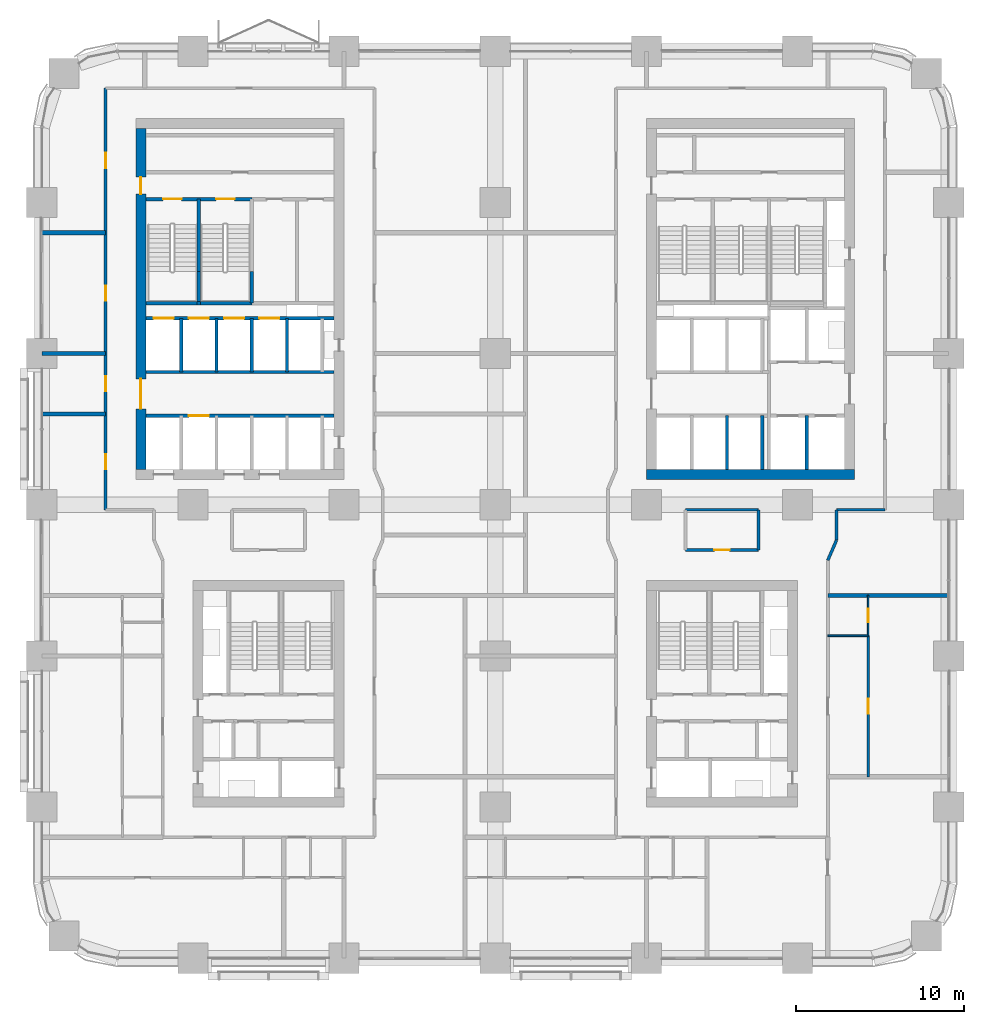
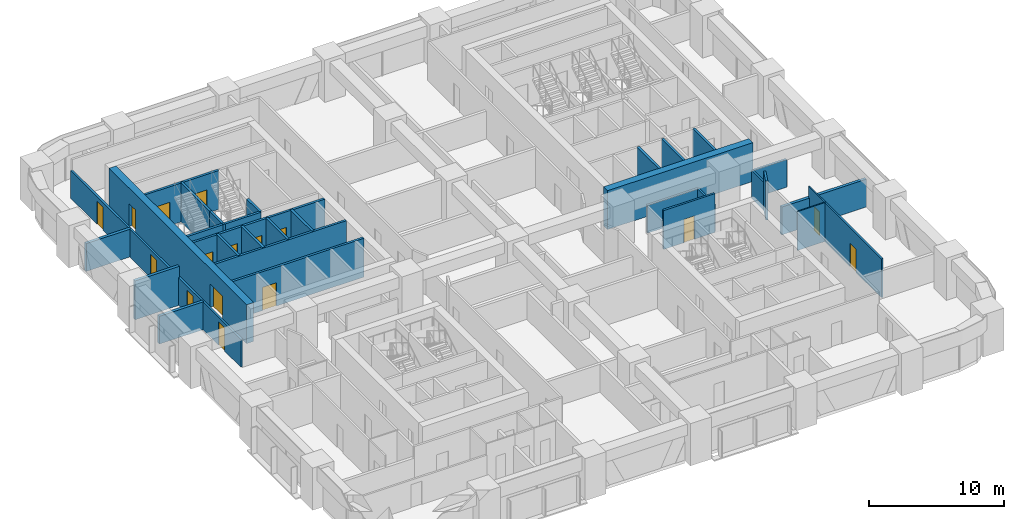
# One storey, part 17 of 23: 33 walls, 16 doors, 16 openings.
"""IFC4 building model written with IfcOpenShell, lengths in metres."""

from ifc_helpers import new_model, si_unit, direction, frame, frame_2d, origin, place, context, subcontext, project, spatial, rectangle, extrude, material, layer, layer_set, type_object, element, fill, save


model = new_model("IFC4")

# Units and contexts
model_context = context("Model", 3, precision=1e-05, world=origin(), true_north=direction((0.0, 1.0)))
body_context = subcontext(model_context, "Body", "Model", "MODEL_VIEW")
ifc_project = project(units=[si_unit("LENGTHUNIT", "METRE"), si_unit("AREAUNIT", "SQUARE_METRE"), si_unit("VOLUMEUNIT", "CUBIC_METRE"), si_unit("PLANEANGLEUNIT", "RADIAN"), si_unit("MASSUNIT", "GRAM", prefix="KILO")], contexts=[model_context])

# Site, building, storey
site_placement = place(None, origin())
site = spatial("IfcSite", under=ifc_project, at=site_placement, CompositionType="ELEMENT")
building_placement = place(site_placement, origin())
building = spatial("IfcBuilding", under=site, at=building_placement, Name="Tessera Arch", CompositionType="ELEMENT")
storey_placement = place(building_placement, frame((0.0, 0.0, 57.60009765625)))
storey = spatial("IfcBuildingStorey", under=building, at=storey_placement, Name="L12", CompositionType="ELEMENT", Elevation=57.60009765625)

# Wall
ifc_material_1 = material(Name="Concrete C70/85", Category="concrete")
ifc_layer_1 = layer(ifc_material_1, 0.60009765625)
ifc_layer_set_1 = layer_set([ifc_layer_1], Name="Core shell wall 600 C70-85")
wall_type_1 = type_object("IfcWallType", Name="Core shell wall 600 C70-85", PredefinedType="SHEAR", material=ifc_layer_set_1)
wall_1_placement = place(storey_placement, frame((36.0, 28.800048828125, 0.0), z_axis=(0.0, 0.0, 1.0), x_axis=(1.0, 0.0, 0.0)))
element("IfcWall", 1, at=wall_1_placement, inside=storey, type_object=wall_type_1, Name="L12 C1 core wall S", PredefinedType="SHEAR", context=body_context, shape_type="SweptSolid", body=[
    extrude(rectangle(XDim=12.39990234375, YDim=0.60009765625, at=frame_2d((6.199951171875, 0.0))), origin(), (0.0, 0.0, 1.0), 3.5),
])

# Wall, openings, doors
wall_2_placement = place(storey_placement, frame((5.89990234375, 29.10009765625, 0.0), z_axis=(0.0, 0.0, 1.0), x_axis=(0.0, 1.0, 0.0)))
wall_2 = element("IfcWall", 2, at=wall_2_placement, inside=storey, type_object=wall_type_1, Name="L12 C2 core wall W", PredefinedType="SHEAR", context=body_context, shape_type="SweptSolid", body=[
    extrude(rectangle(XDim=20.2998046875, YDim=0.60009765625, at=frame_2d((10.14990234375, 0.0))), origin(), (0.0, 0.0, 1.0), 3.5),
])
opening_1_placement = place(wall_2_placement, frame((3.60009765625, 0.0, 0.0)))
opening_1 = element("IfcOpeningElement", 3, at=opening_1_placement, cuts=wall_2, Name="Opening L12-C24", PredefinedType="OPENING", context=body_context, shape_type="SweptSolid", body=[
    extrude(rectangle(XDim=1.800048828125, YDim=2.10009765625, at=frame_2d((0.89990234375, 1.050048828125))), frame((0.0, 0.31005859375, 0.0), z_axis=(0.0, -1.0, 0.0), x_axis=(1.0, 0.0, 0.0)), (0.0, 0.0, 1.0), 0.6201171875),
])
opening_2_placement = place(wall_2_placement, frame((16.39990234375, 0.0, 0.0)))
opening_2 = element("IfcOpeningElement", 4, at=opening_2_placement, cuts=wall_2, Name="Opening L12-C27", PredefinedType="OPENING", context=body_context, shape_type="SweptSolid", body=[
    extrude(rectangle(XDim=1.0, YDim=2.10009765625, at=frame_2d((0.5, 1.050048828125))), frame((0.0, 0.31005859375, 0.0), z_axis=(0.0, -1.0, 0.0), x_axis=(1.0, 0.0, 0.0)), (0.0, 0.0, 1.0), 0.6201171875),
])
ifc_material_2 = material(Name="Steel door leaf", Category="steel")
door_type_1 = type_object("IfcDoorType", Name="Corridor door FD60 1000 x 2100", OperationType="SINGLE_SWING_LEFT", PredefinedType="DOOR", material=ifc_material_2)
door_1_placement = place(opening_2_placement, origin())
door_1 = element("IfcDoor", 5, at=door_1_placement, inside=storey, type_object=door_type_1, Name="L12 C2 door 14 C27 type D12", OperationType="SINGLE_SWING_RIGHT", OverallHeight=2.10009765625, OverallWidth=1.0, PredefinedType="DOOR", context=body_context, shape_type="SweptSolid", body=[
    extrude(rectangle(XDim=1.0, YDim=2.10009765625, at=frame_2d((0.5, 1.050048828125))), frame((0.0, 0.02490234375, 0.0), z_axis=(0.0, -1.0, 0.0), x_axis=(1.0, 0.0, 0.0)), (0.0, 0.0, 1.0), 0.050048828125),
])
fill(opening_2, door_1)
ifc_material_3 = material(Name="Glazed steel door leaf", Category="steel")
door_type_2 = type_object("IfcDoorType", Name="Lobby double door FD30S 1800 x 2100", OperationType="DOUBLE_DOOR_SINGLE_SWING", PredefinedType="DOOR", material=ifc_material_3)
door_2_placement = place(opening_1_placement, origin())
door_2 = element("IfcDoor", 6, at=door_2_placement, inside=storey, type_object=door_type_2, Name="L12 C2 door 11 C24 type D06", OperationType="DOUBLE_DOOR_SINGLE_SWING", OverallHeight=2.10009765625, OverallWidth=1.800048828125, PredefinedType="DOOR", context=body_context, shape_type="SweptSolid", body=[
    extrude(rectangle(XDim=1.800048828125, YDim=2.10009765625, at=frame_2d((0.89990234375, 1.050048828125))), frame((0.0, 0.02490234375, 0.0), z_axis=(0.0, -1.0, 0.0), x_axis=(1.0, 0.0, 0.0)), (0.0, 0.0, 1.0), 0.050048828125),
])
fill(opening_1, door_2)

# Wall, opening, door
ifc_material_4 = material(Name="Gypsum board on deep steel stud with mineral wool", Category="steel")
ifc_layer_2 = layer(ifc_material_4, 0.175048828125)
ifc_layer_set_2 = layer_set([ifc_layer_2], Name="Corridor wall 175 EI 60")
wall_type_2 = type_object("IfcWallType", Name="Corridor wall 175 EI 60", PredefinedType="PARTITIONING", material=ifc_layer_set_2)
wall_3_placement = place(storey_placement, frame((38.320068359375, 24.300048828125, 0.0), z_axis=(0.0, 0.0, 1.0), x_axis=(1.0, 0.0, 0.0)))
wall_3 = element("IfcWall", 7, at=wall_3_placement, inside=storey, type_object=wall_type_2, Name="L12 partition 4", PredefinedType="PARTITIONING", context=body_context, shape_type="SweptSolid", body=[
    extrude(rectangle(XDim=4.35986328125, YDim=0.175048828125, at=frame_2d((2.179931640625, 0.0))), origin(), (0.0, 0.0, 1.0), 3.5),
])
opening_3_placement = place(wall_3_placement, frame((1.72998046875, 0.0, 0.0)))
opening_3 = element("IfcOpeningElement", 8, at=opening_3_placement, cuts=wall_3, Name="Opening L12-D030", PredefinedType="OPENING", context=body_context, shape_type="SweptSolid", body=[
    extrude(rectangle(XDim=0.89990234375, YDim=2.10009765625, at=frame_2d((0.449951171875, 1.050048828125))), frame((0.0, 0.097412109375, 0.0), z_axis=(0.0, -1.0, 0.0), x_axis=(1.0, 0.0, 0.0)), (0.0, 0.0, 1.0), 0.195068359375),
])
ifc_material_5 = material(Name="Timber door leaf", Category="wood")
door_type_3 = type_object("IfcDoorType", Name="Room door 900 x 2100", OperationType="SINGLE_SWING_LEFT", PredefinedType="DOOR", material=ifc_material_5)
door_3_placement = place(opening_3_placement, origin())
door_3 = element("IfcDoor", 9, at=door_3_placement, inside=storey, type_object=door_type_3, Name="L12 door D030 type D01", OperationType="SINGLE_SWING_LEFT", OverallHeight=2.10009765625, OverallWidth=0.89990234375, PredefinedType="DOOR", context=body_context, shape_type="SweptSolid", body=[
    extrude(rectangle(XDim=0.89990234375, YDim=2.10009765625, at=frame_2d((0.449951171875, 1.050048828125))), frame((0.0, 0.02490234375, 0.0), z_axis=(0.0, -1.0, 0.0), x_axis=(1.0, 0.0, 0.0)), (0.0, 0.0, 1.0), 0.050048828125),
])
fill(opening_3, door_3)

# Walls
wall_4_placement = place(storey_placement, frame((38.320068359375, 26.699951171875, 0.0), z_axis=(0.0, 0.0, 1.0), x_axis=(1.0, 0.0, 0.0)))
element("IfcWall", 10, at=wall_4_placement, inside=storey, type_object=wall_type_2, Name="L12 partition 7", PredefinedType="PARTITIONING", context=body_context, shape_type="SweptSolid", body=[
    extrude(rectangle(XDim=4.35986328125, YDim=0.175048828125, at=frame_2d((2.179931640625, 0.0))), origin(), (0.0, 0.0, 1.0), 2.5),
])
wall_5_placement = place(storey_placement, frame((47.320068359375, 26.699951171875, 0.0), z_axis=(0.0, 0.0, 1.0), x_axis=(1.0, 0.0, 0.0)))
element("IfcWall", 11, at=wall_5_placement, inside=storey, type_object=wall_type_2, Name="L12 partition 8", PredefinedType="PARTITIONING", context=body_context, shape_type="SweptSolid", body=[
    extrude(rectangle(XDim=2.8798828125, YDim=0.175048828125, at=frame_2d((1.43994140625, 0.0))), origin(), (0.0, 0.0, 1.0), 2.5),
])

# Wall, openings, doors
wall_6_placement = place(storey_placement, frame((3.800048828125, 26.699951171875, 0.0), z_axis=(0.0, 0.0, 1.0), x_axis=(0.0, 1.0, 0.0)))
wall_6 = element("IfcWall", 12, at=wall_6_placement, inside=storey, type_object=wall_type_2, Name="L12 partition 11", PredefinedType="PARTITIONING", context=body_context, shape_type="SweptSolid", body=[
    extrude(rectangle(XDim=25.10009765625, YDim=0.175048828125, at=frame_2d((12.550048828125, 0.0))), origin(), (0.0, 0.0, 1.0), 2.5),
])
opening_4_placement = place(wall_6_placement, frame((2.39990234375, 0.0, 0.0)))
opening_4 = element("IfcOpeningElement", 13, at=opening_4_placement, cuts=wall_6, Name="Opening L12-D031", PredefinedType="OPENING", context=body_context, shape_type="SweptSolid", body=[
    extrude(rectangle(XDim=0.89990234375, YDim=2.10009765625, at=frame_2d((0.449951171875, 1.050048828125))), frame((0.0, 0.097412109375, 0.0), z_axis=(0.0, -1.0, 0.0), x_axis=(1.0, 0.0, 0.0)), (0.0, 0.0, 1.0), 0.195068359375),
])
opening_5_placement = place(wall_6_placement, frame((7.050048828125, 0.0, 0.0)))
opening_5 = element("IfcOpeningElement", 14, at=opening_5_placement, cuts=wall_6, Name="Opening L12-D035", PredefinedType="OPENING", context=body_context, shape_type="SweptSolid", body=[
    extrude(rectangle(XDim=0.89990234375, YDim=2.10009765625, at=frame_2d((0.449951171875, 1.050048828125))), frame((0.0, 0.097412109375, 0.0), z_axis=(0.0, -1.0, 0.0), x_axis=(1.0, 0.0, 0.0)), (0.0, 0.0, 1.0), 0.195068359375),
])
opening_6_placement = place(wall_6_placement, frame((12.449951171875, 0.0, 0.0)))
opening_6 = element("IfcOpeningElement", 15, at=opening_6_placement, cuts=wall_6, Name="Opening L12-D037", PredefinedType="OPENING", context=body_context, shape_type="SweptSolid", body=[
    extrude(rectangle(XDim=0.89990234375, YDim=2.10009765625, at=frame_2d((0.449951171875, 1.050048828125))), frame((0.0, 0.097412109375, 0.0), z_axis=(0.0, -1.0, 0.0), x_axis=(1.0, 0.0, 0.0)), (0.0, 0.0, 1.0), 0.195068359375),
])
opening_7_placement = place(wall_6_placement, frame((20.35009765625, 0.0, 0.0)))
opening_7 = element("IfcOpeningElement", 16, at=opening_7_placement, cuts=wall_6, Name="Opening L12-D041", PredefinedType="OPENING", context=body_context, shape_type="SweptSolid", body=[
    extrude(rectangle(XDim=0.89990234375, YDim=2.10009765625, at=frame_2d((0.449951171875, 1.050048828125))), frame((0.0, 0.097412109375, 0.0), z_axis=(0.0, -1.0, 0.0), x_axis=(1.0, 0.0, 0.0)), (0.0, 0.0, 1.0), 0.195068359375),
])
door_4_placement = place(opening_4_placement, origin())
door_4 = element("IfcDoor", 17, at=door_4_placement, inside=storey, type_object=door_type_3, Name="L12 door D031 type D01", OperationType="SINGLE_SWING_RIGHT", OverallHeight=2.10009765625, OverallWidth=0.89990234375, PredefinedType="DOOR", context=body_context, shape_type="SweptSolid", body=[
    extrude(rectangle(XDim=0.89990234375, YDim=2.10009765625, at=frame_2d((0.449951171875, 1.050048828125))), frame((0.0, 0.02490234375, 0.0), z_axis=(0.0, -1.0, 0.0), x_axis=(1.0, 0.0, 0.0)), (0.0, 0.0, 1.0), 0.050048828125),
])
fill(opening_4, door_4)
door_5_placement = place(opening_5_placement, origin())
door_5 = element("IfcDoor", 18, at=door_5_placement, inside=storey, type_object=door_type_3, Name="L12 door D035 type D01", OperationType="SINGLE_SWING_RIGHT", OverallHeight=2.10009765625, OverallWidth=0.89990234375, PredefinedType="DOOR", context=body_context, shape_type="SweptSolid", body=[
    extrude(rectangle(XDim=0.89990234375, YDim=2.10009765625, at=frame_2d((0.449951171875, 1.050048828125))), frame((0.0, 0.02490234375, 0.0), z_axis=(0.0, -1.0, 0.0), x_axis=(1.0, 0.0, 0.0)), (0.0, 0.0, 1.0), 0.050048828125),
])
fill(opening_5, door_5)
door_6_placement = place(opening_6_placement, origin())
door_6 = element("IfcDoor", 19, at=door_6_placement, inside=storey, type_object=door_type_3, Name="L12 door D037 type D01", OperationType="SINGLE_SWING_RIGHT", OverallHeight=2.10009765625, OverallWidth=0.89990234375, PredefinedType="DOOR", context=body_context, shape_type="SweptSolid", body=[
    extrude(rectangle(XDim=0.89990234375, YDim=2.10009765625, at=frame_2d((0.449951171875, 1.050048828125))), frame((0.0, 0.02490234375, 0.0), z_axis=(0.0, -1.0, 0.0), x_axis=(1.0, 0.0, 0.0)), (0.0, 0.0, 1.0), 0.050048828125),
])
fill(opening_6, door_6)
door_7_placement = place(opening_7_placement, origin())
door_7 = element("IfcDoor", 20, at=door_7_placement, inside=storey, type_object=door_type_3, Name="L12 door D041 type D01", OperationType="SINGLE_SWING_RIGHT", OverallHeight=2.10009765625, OverallWidth=0.89990234375, PredefinedType="DOOR", context=body_context, shape_type="SweptSolid", body=[
    extrude(rectangle(XDim=0.89990234375, YDim=2.10009765625, at=frame_2d((0.449951171875, 1.050048828125))), frame((0.0, 0.02490234375, 0.0), z_axis=(0.0, -1.0, 0.0), x_axis=(1.0, 0.0, 0.0)), (0.0, 0.0, 1.0), 0.050048828125),
])
fill(opening_7, door_7)

# Walls
wall_7_placement = place(storey_placement, frame((42.679931640625, 24.300048828125, 0.0), z_axis=(0.0, 0.0, 1.0), x_axis=(0.0, 1.0, 0.0)))
element("IfcWall", 21, at=wall_7_placement, inside=storey, type_object=wall_type_2, Name="L12 partition 23", PredefinedType="PARTITIONING", context=body_context, shape_type="SweptSolid", body=[
    extrude(rectangle(XDim=2.39990234375, YDim=0.175048828125, at=frame_2d((1.199951171875, 0.0))), origin(), (0.0, 0.0, 1.0), 2.5),
])
wall_8_placement = place(storey_placement, frame((47.320068359375, 24.889892578125, 0.0), z_axis=(0.0, 0.0, 1.0), x_axis=(0.0, 1.0, 0.0)))
element("IfcWall", 22, at=wall_8_placement, inside=storey, type_object=wall_type_2, Name="L12 partition 25", PredefinedType="PARTITIONING", context=body_context, shape_type="SweptSolid", body=[
    extrude(rectangle(XDim=1.81005859375, YDim=0.175048828125, at=frame_2d((0.905029296875, 0.0))), origin(), (0.0, 0.0, 1.0), 2.5),
])
wall_9_placement = place(storey_placement, frame((47.320068359375, 24.889892578125, 0.0), z_axis=(0.0, 0.0, 1.0), x_axis=(-0.397633632391, -0.917544273804, 0.0)))
element("IfcWall", 23, at=wall_9_placement, inside=storey, type_object=wall_type_2, Name="L12 partition 76", PredefinedType="PARTITIONING", context=body_context, shape_type="SweptSolid", body=[
    extrude(rectangle(XDim=1.307861328125, YDim=0.175048828125, at=frame_2d((0.65380859375, 0.0))), origin(), (0.0, 0.0, 1.0), 3.5),
])

# Wall, opening, door
ifc_material_6 = material(Name="Gypsum board on steel stud", Category="steel")
ifc_layer_3 = layer(ifc_material_6, 0.14990234375)
ifc_layer_set_3 = layer_set([ifc_layer_3], Name="Partition 150")
wall_type_3 = type_object("IfcWallType", Name="Partition 150", PredefinedType="PARTITIONING", material=ifc_layer_set_3)
wall_10_placement = place(storey_placement, frame((49.199951171875, 10.800048828125, 0.0), z_axis=(0.0, 0.0, 1.0), x_axis=(0.0, 1.0, 0.0)))
wall_10 = element("IfcWall", 24, at=wall_10_placement, inside=storey, type_object=wall_type_3, Name="L12 partition 32", PredefinedType="PARTITIONING", context=body_context, shape_type="SweptSolid", body=[
    extrude(rectangle(XDim=8.39990234375, YDim=0.14990234375, at=frame_2d((4.199951171875, 0.0))), origin(), (0.0, 0.0, 1.0), 3.5),
])
opening_8_placement = place(wall_10_placement, frame((3.75, 0.0, 0.0)))
opening_8 = element("IfcOpeningElement", 25, at=opening_8_placement, cuts=wall_10, Name="Opening L12-D022", PredefinedType="OPENING", context=body_context, shape_type="SweptSolid", body=[
    extrude(rectangle(XDim=0.89990234375, YDim=2.10009765625, at=frame_2d((0.449951171875, 1.050048828125))), frame((0.0, 0.0849609375, 0.0), z_axis=(0.0, -1.0, 0.0), x_axis=(1.0, 0.0, 0.0)), (0.0, 0.0, 1.0), 0.169921875),
])
door_8_placement = place(opening_8_placement, origin())
door_8 = element("IfcDoor", 26, at=door_8_placement, inside=storey, type_object=door_type_3, Name="L12 door D022 type D01", OperationType="SINGLE_SWING_RIGHT", OverallHeight=2.10009765625, OverallWidth=0.89990234375, PredefinedType="DOOR", context=body_context, shape_type="SweptSolid", body=[
    extrude(rectangle(XDim=0.89990234375, YDim=2.10009765625, at=frame_2d((0.449951171875, 1.050048828125))), frame((0.0, 0.02490234375, 0.0), z_axis=(0.0, -1.0, 0.0), x_axis=(1.0, 0.0, 0.0)), (0.0, 0.0, 1.0), 0.050048828125),
])
fill(opening_8, door_8)

# Walls
ifc_material_7 = material(Name="Double gypsum board on twin steel stud with acoustic mineral wool", Category="steel")
ifc_layer_4 = layer(ifc_material_7, 0.25)
ifc_layer_set_4 = layer_set([ifc_layer_4], Name="Party wall 250 EI 60")
wall_type_4 = type_object("IfcWallType", Name="Party wall 250 EI 60", PredefinedType="PARTITIONING", material=ifc_layer_set_4)
wall_11_placement = place(storey_placement, frame((46.800048828125, 21.60009765625, 0.0), z_axis=(0.0, 0.0, 1.0), x_axis=(1.0, 0.0, 0.0)))
element("IfcWall", 27, at=wall_11_placement, inside=storey, type_object=wall_type_4, Name="L12 partition 41", PredefinedType="PARTITIONING", context=body_context, shape_type="SweptSolid", body=[
    extrude(rectangle(XDim=7.199951171875, YDim=0.25, at=frame_2d((3.60009765625, 0.0))), origin(), (0.0, 0.0, 1.0), 2.5),
])
wall_12_placement = place(storey_placement, frame((0.0, 32.39990234375, 0.0), z_axis=(0.0, 0.0, 1.0), x_axis=(1.0, 0.0, 0.0)))
element("IfcWall", 28, at=wall_12_placement, inside=storey, type_object=wall_type_4, Name="L12 partition 43", PredefinedType="PARTITIONING", context=body_context, shape_type="SweptSolid", body=[
    extrude(rectangle(XDim=3.800048828125, YDim=0.25, at=frame_2d((1.89990234375, 0.0))), origin(), (0.0, 0.0, 1.0), 2.5),
])
wall_13_placement = place(storey_placement, frame((0.0, 36.0, 0.0), z_axis=(0.0, 0.0, 1.0), x_axis=(1.0, 0.0, 0.0)))
element("IfcWall", 29, at=wall_13_placement, inside=storey, type_object=wall_type_4, Name="L12 partition 45", PredefinedType="PARTITIONING", context=body_context, shape_type="SweptSolid", body=[
    extrude(rectangle(XDim=3.800048828125, YDim=0.25, at=frame_2d((1.89990234375, 0.0))), origin(), (0.0, 0.0, 1.0), 3.5),
])
wall_14_placement = place(storey_placement, frame((0.0, 43.199951171875, 0.0), z_axis=(0.0, 0.0, 1.0), x_axis=(1.0, 0.0, 0.0)))
element("IfcWall", 30, at=wall_14_placement, inside=storey, type_object=wall_type_4, Name="L12 partition 48", PredefinedType="PARTITIONING", context=body_context, shape_type="SweptSolid", body=[
    extrude(rectangle(XDim=3.800048828125, YDim=0.25, at=frame_2d((1.89990234375, 0.0))), origin(), (0.0, 0.0, 1.0), 2.5),
])
ifc_material_8 = material(Name="Concrete C40/50", Category="concrete")
ifc_layer_5 = layer(ifc_material_8, 0.199951171875)
ifc_layer_set_5 = layer_set([ifc_layer_5], Name="Shaft wall 200 EI 120")
wall_type_5 = type_object("IfcWallType", Name="Shaft wall 200 EI 120", PredefinedType="SOLIDWALL", material=ifc_layer_set_5)
for number, where, z_axis, x_axis, name in (
    (31, (40.800048828125, 29.10009765625, 0.0), (0.0, 0.0, 1.0), (0.0, 1.0, 0.0), "L12 C1 shaft wall 6"),
    (32, (42.89990234375, 29.10009765625, 0.0), (0.0, 0.0, 1.0), (0.0, 1.0, 0.0), "L12 C1 shaft wall 8"),
    (33, (45.550048828125, 29.10009765625, 0.0), (0.0, 0.0, 1.0), (0.0, 1.0, 0.0), "L12 C1 shaft wall 13"),
):
    element("IfcWall", number, at=place(storey_placement, frame(where, z_axis=z_axis, x_axis=x_axis)), inside=storey, type_object=wall_type_5, Name=name, PredefinedType="SOLIDWALL", context=body_context, shape_type="SweptSolid", body=[
        extrude(rectangle(XDim=3.199951171875, YDim=0.199951171875, at=frame_2d((1.60009765625, 0.0))), origin(), (0.0, 0.0, 1.0), 3.5),
    ])
for number, where, z_axis, x_axis, name in (
    (34, (8.300048828125, 34.89990234375, 0.0), (0.0, 0.0, 1.0), (0.0, 1.0, 0.0), "L12 C2 shaft wall 2"),
    (35, (10.39990234375, 34.89990234375, 0.0), (0.0, 0.0, 1.0), (0.0, 1.0, 0.0), "L12 C2 shaft wall 6"),
    (36, (12.5, 34.89990234375, 0.0), (0.0, 0.0, 1.0), (0.0, 1.0, 0.0), "L12 C2 shaft wall 8"),
    (37, (14.60009765625, 34.89990234375, 0.0), (0.0, 0.0, 1.0), (0.0, 1.0, 0.0), "L12 C2 shaft wall 12"),
):
    element("IfcWall", number, at=place(storey_placement, frame(where, z_axis=z_axis, x_axis=x_axis)), inside=storey, type_object=wall_type_5, Name=name, PredefinedType="SOLIDWALL", context=body_context, shape_type="SweptSolid", body=[
        extrude(rectangle(XDim=3.2001953125, YDim=0.199951171875, at=frame_2d((1.60009765625, 0.0))), origin(), (0.0, 0.0, 1.0), 3.5),
    ])

# Wall, opening, door
wall_15_placement = place(storey_placement, frame((6.199951171875, 32.300048828125, 0.0), z_axis=(0.0, 0.0, 1.0), x_axis=(1.0, 0.0, 0.0)))
wall_15 = element("IfcWall", 38, at=wall_15_placement, inside=storey, type_object=wall_type_5, Name="L12 C2 shaft wall 16", PredefinedType="SOLIDWALL", context=body_context, shape_type="SweptSolid", body=[
    extrude(rectangle(XDim=11.199951171875, YDim=0.199951171875, at=frame_2d((5.60009765625, 0.0))), origin(), (0.0, 0.0, 1.0), 3.5),
])
opening_9_placement = place(wall_15_placement, frame((2.550048828125, 0.0, 0.0)))
opening_9 = element("IfcOpeningElement", 39, at=opening_9_placement, cuts=wall_15, Name="Opening L12-C15", PredefinedType="OPENING", context=body_context, shape_type="SweptSolid", body=[
    extrude(rectangle(XDim=1.199951171875, YDim=2.10009765625, at=frame_2d((0.60009765625, 1.050048828125))), frame((0.0, 0.10986328125, 0.0), z_axis=(0.0, -1.0, 0.0), x_axis=(1.0, 0.0, 0.0)), (0.0, 0.0, 1.0), 0.219970703125),
])
ifc_material_9 = material(Name="Stainless steel AISI 304", Category="steel")
door_type_4 = type_object("IfcDoorType", Name="Sliding landing door 1200 x 2100", OperationType="SLIDING_TO_LEFT", PredefinedType="DOOR", material=ifc_material_9)
door_9_placement = place(opening_9_placement, origin())
door_9 = element("IfcDoor", 40, at=door_9_placement, inside=storey, type_object=door_type_4, Name="L12 LR2 lift landing door C15 type LD", OperationType="SLIDING_TO_LEFT", OverallHeight=2.10009765625, OverallWidth=1.199951171875, PredefinedType="DOOR", context=body_context, shape_type="SweptSolid", body=[
    extrude(rectangle(XDim=1.199951171875, YDim=2.10009765625, at=frame_2d((0.60009765625, 1.050048828125))), frame((0.0, 0.02490234375, 0.0), z_axis=(0.0, -1.0, 0.0), x_axis=(1.0, 0.0, 0.0)), (0.0, 0.0, 1.0), 0.050048828125),
])
fill(opening_9, door_9)

# Wall
wall_16_placement = place(storey_placement, frame((6.199951171875, 34.89990234375, 0.0), z_axis=(0.0, 0.0, 1.0), x_axis=(1.0, 0.0, 0.0)))
element("IfcWall", 41, at=wall_16_placement, inside=storey, type_object=wall_type_5, Name="L12 C2 shaft wall 17", PredefinedType="SOLIDWALL", context=body_context, shape_type="SweptSolid", body=[
    extrude(rectangle(XDim=11.199951171875, YDim=0.199951171875, at=frame_2d((5.60009765625, 0.0))), origin(), (0.0, 0.0, 1.0), 3.5),
])

# Wall, openings, doors
wall_17_placement = place(storey_placement, frame((6.199951171875, 38.10009765625, 0.0), z_axis=(0.0, 0.0, 1.0), x_axis=(1.0, 0.0, 0.0)))
wall_17 = element("IfcWall", 42, at=wall_17_placement, inside=storey, type_object=wall_type_5, Name="L12 C2 shaft wall 18", PredefinedType="SOLIDWALL", context=body_context, shape_type="SweptSolid", body=[
    extrude(rectangle(XDim=11.199951171875, YDim=0.199951171875, at=frame_2d((5.60009765625, 0.0))), origin(), (0.0, 0.0, 1.0), 3.5),
])
opening_10_placement = place(wall_17_placement, frame((0.449951171875, 0.0, 0.0)))
opening_10 = element("IfcOpeningElement", 43, at=opening_10_placement, cuts=wall_17, Name="Opening L12-C18", PredefinedType="OPENING", context=body_context, shape_type="SweptSolid", body=[
    extrude(rectangle(XDim=1.199951171875, YDim=2.10009765625, at=frame_2d((0.60009765625, 1.050048828125))), frame((0.0, 0.10986328125, 0.0), z_axis=(0.0, -1.0, 0.0), x_axis=(1.0, 0.0, 0.0)), (0.0, 0.0, 1.0), 0.219970703125),
])
opening_11_placement = place(wall_17_placement, frame((2.550048828125, 0.0, 0.0)))
opening_11 = element("IfcOpeningElement", 44, at=opening_11_placement, cuts=wall_17, Name="Opening L12-C19", PredefinedType="OPENING", context=body_context, shape_type="SweptSolid", body=[
    extrude(rectangle(XDim=1.199951171875, YDim=2.10009765625, at=frame_2d((0.60009765625, 1.050048828125))), frame((0.0, 0.10986328125, 0.0), z_axis=(0.0, -1.0, 0.0), x_axis=(1.0, 0.0, 0.0)), (0.0, 0.0, 1.0), 0.219970703125),
])
opening_12_placement = place(wall_17_placement, frame((4.64990234375, 0.0, 0.0)))
opening_12 = element("IfcOpeningElement", 45, at=opening_12_placement, cuts=wall_17, Name="Opening L12-C20", PredefinedType="OPENING", context=body_context, shape_type="SweptSolid", body=[
    extrude(rectangle(XDim=1.199951171875, YDim=2.10009765625, at=frame_2d((0.60009765625, 1.050048828125))), frame((0.0, 0.10986328125, 0.0), z_axis=(0.0, -1.0, 0.0), x_axis=(1.0, 0.0, 0.0)), (0.0, 0.0, 1.0), 0.219970703125),
])
opening_13_placement = place(wall_17_placement, frame((6.75, 0.0, 0.0)))
opening_13 = element("IfcOpeningElement", 46, at=opening_13_placement, cuts=wall_17, Name="Opening L12-C21", PredefinedType="OPENING", context=body_context, shape_type="SweptSolid", body=[
    extrude(rectangle(XDim=1.199951171875, YDim=2.10009765625, at=frame_2d((0.60009765625, 1.050048828125))), frame((0.0, 0.10986328125, 0.0), z_axis=(0.0, -1.0, 0.0), x_axis=(1.0, 0.0, 0.0)), (0.0, 0.0, 1.0), 0.219970703125),
])
door_10_placement = place(opening_10_placement, origin())
door_10 = element("IfcDoor", 47, at=door_10_placement, inside=storey, type_object=door_type_4, Name="L12 LR5 lift landing door C18 type LD", OperationType="SLIDING_TO_LEFT", OverallHeight=2.10009765625, OverallWidth=1.199951171875, PredefinedType="DOOR", context=body_context, shape_type="SweptSolid", body=[
    extrude(rectangle(XDim=1.199951171875, YDim=2.10009765625, at=frame_2d((0.60009765625, 1.050048828125))), frame((0.0, 0.02490234375, 0.0), z_axis=(0.0, -1.0, 0.0), x_axis=(1.0, 0.0, 0.0)), (0.0, 0.0, 1.0), 0.050048828125),
])
fill(opening_10, door_10)
door_11_placement = place(opening_11_placement, origin())
door_11 = element("IfcDoor", 48, at=door_11_placement, inside=storey, type_object=door_type_4, Name="L12 LR6 lift landing door C19 type LD", OperationType="SLIDING_TO_LEFT", OverallHeight=2.10009765625, OverallWidth=1.199951171875, PredefinedType="DOOR", context=body_context, shape_type="SweptSolid", body=[
    extrude(rectangle(XDim=1.199951171875, YDim=2.10009765625, at=frame_2d((0.60009765625, 1.050048828125))), frame((0.0, 0.02490234375, 0.0), z_axis=(0.0, -1.0, 0.0), x_axis=(1.0, 0.0, 0.0)), (0.0, 0.0, 1.0), 0.050048828125),
])
fill(opening_11, door_11)
door_12_placement = place(opening_12_placement, origin())
door_12 = element("IfcDoor", 49, at=door_12_placement, inside=storey, type_object=door_type_4, Name="L12 LR7 lift landing door C20 type LD", OperationType="SLIDING_TO_LEFT", OverallHeight=2.10009765625, OverallWidth=1.199951171875, PredefinedType="DOOR", context=body_context, shape_type="SweptSolid", body=[
    extrude(rectangle(XDim=1.199951171875, YDim=2.10009765625, at=frame_2d((0.60009765625, 1.050048828125))), frame((0.0, 0.02490234375, 0.0), z_axis=(0.0, -1.0, 0.0), x_axis=(1.0, 0.0, 0.0)), (0.0, 0.0, 1.0), 0.050048828125),
])
fill(opening_12, door_12)
door_13_placement = place(opening_13_placement, origin())
door_13 = element("IfcDoor", 50, at=door_13_placement, inside=storey, type_object=door_type_4, Name="L12 LR8 lift landing door C21 type LD", OperationType="SLIDING_TO_LEFT", OverallHeight=2.10009765625, OverallWidth=1.199951171875, PredefinedType="DOOR", context=body_context, shape_type="SweptSolid", body=[
    extrude(rectangle(XDim=1.199951171875, YDim=2.10009765625, at=frame_2d((0.60009765625, 1.050048828125))), frame((0.0, 0.02490234375, 0.0), z_axis=(0.0, -1.0, 0.0), x_axis=(1.0, 0.0, 0.0)), (0.0, 0.0, 1.0), 0.050048828125),
])
fill(opening_13, door_13)

# Walls
ifc_material_10 = material(Name="Concrete C40/50", Category="concrete")
ifc_layer_6 = layer(ifc_material_10, 0.199951171875)
ifc_layer_set_6 = layer_set([ifc_layer_6], Name="Stair well wall 200 REI 180")
wall_type_6 = type_object("IfcWallType", Name="Stair well wall 200 REI 180", PredefinedType="SOLIDWALL", material=ifc_layer_set_6)
wall_18_placement = place(storey_placement, frame((9.35009765625, 39.0, 0.0), z_axis=(0.0, 0.0, 1.0), x_axis=(0.0, 1.0, 0.0)))
element("IfcWall", 51, at=wall_18_placement, inside=storey, type_object=wall_type_6, Name="L12 C2 shaft wall 3", PredefinedType="SOLIDWALL", context=body_context, shape_type="SweptSolid", body=[
    extrude(rectangle(XDim=1.89990234375, YDim=0.199951171875, at=frame_2d((0.949951171875, 0.0))), origin(), (0.0, 0.0, 1.0), 3.5),
])
wall_19_placement = place(storey_placement, frame((9.35009765625, 40.89990234375, 0.0), z_axis=(0.0, 0.0, 1.0), x_axis=(0.0, 1.0, 0.0)))
element("IfcWall", 52, at=wall_19_placement, inside=storey, type_object=wall_type_6, Name="L12 C2 shaft wall 4", PredefinedType="SOLIDWALL", context=body_context, shape_type="SweptSolid", body=[
    extrude(rectangle(XDim=4.300048828125, YDim=0.199951171875, at=frame_2d((2.14990234375, 0.0))), origin(), (0.0, 0.0, 1.0), 3.5),
])
wall_20_placement = place(storey_placement, frame((12.5, 39.0, 0.0), z_axis=(0.0, 0.0, 1.0), x_axis=(0.0, 1.0, 0.0)))
element("IfcWall", 53, at=wall_20_placement, inside=storey, type_object=wall_type_6, Name="L12 C2 shaft wall 9", PredefinedType="SOLIDWALL", context=body_context, shape_type="SweptSolid", body=[
    extrude(rectangle(XDim=1.89990234375, YDim=0.199951171875, at=frame_2d((0.949951171875, 0.0))), origin(), (0.0, 0.0, 1.0), 3.5),
])
wall_21_placement = place(storey_placement, frame((6.199951171875, 39.0, 0.0), z_axis=(0.0, 0.0, 1.0), x_axis=(1.0, 0.0, 0.0)))
element("IfcWall", 54, at=wall_21_placement, inside=storey, type_object=wall_type_6, Name="L12 C2 shaft wall 20", PredefinedType="SOLIDWALL", context=body_context, shape_type="SweptSolid", body=[
    extrude(rectangle(XDim=3.050048828125, YDim=0.199951171875, at=frame_2d((1.52490234375, 0.0))), origin(), (0.0, 0.0, 1.0), 3.5),
])
wall_22_placement = place(storey_placement, frame((9.25, 39.0, 0.0), z_axis=(0.0, 0.0, 1.0), x_axis=(1.0, 0.0, 0.0)))
element("IfcWall", 55, at=wall_22_placement, inside=storey, type_object=wall_type_6, Name="L12 C2 shaft wall 21", PredefinedType="SOLIDWALL", context=body_context, shape_type="SweptSolid", body=[
    extrude(rectangle(XDim=0.199951171875, YDim=0.199951171875, at=frame_2d((0.10009765625, 0.0))), origin(), (0.0, 0.0, 1.0), 3.5),
])
wall_23_placement = place(storey_placement, frame((9.449951171875, 39.0, 0.0), z_axis=(0.0, 0.0, 1.0), x_axis=(1.0, 0.0, 0.0)))
element("IfcWall", 56, at=wall_23_placement, inside=storey, type_object=wall_type_6, Name="L12 C2 shaft wall 22", PredefinedType="SOLIDWALL", context=body_context, shape_type="SweptSolid", body=[
    extrude(rectangle(XDim=3.050048828125, YDim=0.199951171875, at=frame_2d((1.52490234375, 0.0))), origin(), (0.0, 0.0, 1.0), 3.5),
])

# Wall, openings, doors
wall_24_placement = place(storey_placement, frame((6.199951171875, 45.199951171875, 0.0), z_axis=(0.0, 0.0, 1.0), x_axis=(1.0, 0.0, 0.0)))
wall_24 = element("IfcWall", 57, at=wall_24_placement, inside=storey, type_object=wall_type_6, Name="L12 C2 shaft wall 24", PredefinedType="SOLIDWALL", context=body_context, shape_type="SweptSolid", body=[
    extrude(rectangle(XDim=6.300048828125, YDim=0.199951171875, at=frame_2d((3.14990234375, 0.0))), origin(), (0.0, 0.0, 1.0), 3.5),
])
opening_14_placement = place(wall_24_placement, frame((1.02490234375, 0.0, 0.0)))
opening_14 = element("IfcOpeningElement", 58, at=opening_14_placement, cuts=wall_24, Name="Opening L12-C25", PredefinedType="OPENING", context=body_context, shape_type="SweptSolid", body=[
    extrude(rectangle(XDim=1.10009765625, YDim=2.10009765625, at=frame_2d((0.550048828125, 1.050048828125))), frame((0.0, 0.10986328125, 0.0), z_axis=(0.0, -1.0, 0.0), x_axis=(1.0, 0.0, 0.0)), (0.0, 0.0, 1.0), 0.219970703125),
])
opening_15_placement = place(wall_24_placement, frame((4.175048828125, 0.0, 0.0)))
opening_15 = element("IfcOpeningElement", 59, at=opening_15_placement, cuts=wall_24, Name="Opening L12-C26", PredefinedType="OPENING", context=body_context, shape_type="SweptSolid", body=[
    extrude(rectangle(XDim=1.10009765625, YDim=2.10009765625, at=frame_2d((0.550048828125, 1.050048828125))), frame((0.0, 0.10986328125, 0.0), z_axis=(0.0, -1.0, 0.0), x_axis=(1.0, 0.0, 0.0)), (0.0, 0.0, 1.0), 0.219970703125),
])
ifc_material_11 = material(Name="Steel door leaf", Category="steel")
door_type_5 = type_object("IfcDoorType", Name="Stair door FD60 1100 x 2100", OperationType="SINGLE_SWING_LEFT", PredefinedType="DOOR", material=ifc_material_11)
door_14_placement = place(opening_14_placement, origin())
door_14 = element("IfcDoor", 60, at=door_14_placement, inside=storey, type_object=door_type_5, Name="L12 C2 door 12 C25 type D05", OperationType="SINGLE_SWING_LEFT", OverallHeight=2.10009765625, OverallWidth=1.10009765625, PredefinedType="DOOR", context=body_context, shape_type="SweptSolid", body=[
    extrude(rectangle(XDim=1.10009765625, YDim=2.10009765625, at=frame_2d((0.550048828125, 1.050048828125))), frame((0.0, 0.02490234375, 0.0), z_axis=(0.0, -1.0, 0.0), x_axis=(1.0, 0.0, 0.0)), (0.0, 0.0, 1.0), 0.050048828125),
])
fill(opening_14, door_14)
door_15_placement = place(opening_15_placement, origin())
door_15 = element("IfcDoor", 61, at=door_15_placement, inside=storey, type_object=door_type_5, Name="L12 C2 door 13 C26 type D05", OperationType="SINGLE_SWING_RIGHT", OverallHeight=2.10009765625, OverallWidth=1.10009765625, PredefinedType="DOOR", context=body_context, shape_type="SweptSolid", body=[
    extrude(rectangle(XDim=1.10009765625, YDim=2.10009765625, at=frame_2d((0.550048828125, 1.050048828125))), frame((0.0, 0.02490234375, 0.0), z_axis=(0.0, -1.0, 0.0), x_axis=(1.0, 0.0, 0.0)), (0.0, 0.0, 1.0), 0.050048828125),
])
fill(opening_15, door_15)

# Wall
ifc_material_12 = material(Name="Moisture-resistant board on pre-plumbed steel stud", Category="steel")
ifc_layer_7 = layer(ifc_material_12, 0.10009765625)
ifc_layer_set_7 = layer_set([ifc_layer_7], Name="Wet wall 100")
wall_type_7 = type_object("IfcWallType", Name="Wet wall 100", PredefinedType="PARTITIONING", material=ifc_layer_set_7)
wall_25_placement = place(storey_placement, frame((46.800048828125, 19.199951171875, 0.0), z_axis=(0.0, 0.0, 1.0), x_axis=(1.0, 0.0, 0.0)))
element("IfcWall", 62, at=wall_25_placement, inside=storey, type_object=wall_type_7, Name="L12 partition 67", PredefinedType="PARTITIONING", context=body_context, shape_type="SweptSolid", body=[
    extrude(rectangle(XDim=2.39990234375, YDim=0.10009765625, at=frame_2d((1.199951171875, 0.0))), origin(), (0.0, 0.0, 1.0), 3.5),
])

# Wall, opening, door
wall_26_placement = place(storey_placement, frame((49.199951171875, 19.199951171875, 0.0), z_axis=(0.0, 0.0, 1.0), x_axis=(0.0, 1.0, 0.0)))
wall_26 = element("IfcWall", 63, at=wall_26_placement, inside=storey, type_object=wall_type_7, Name="L12 partition 75", PredefinedType="PARTITIONING", context=body_context, shape_type="SweptSolid", body=[
    extrude(rectangle(XDim=2.400146484375, YDim=0.10009765625, at=frame_2d((1.2001953125, 0.0))), origin(), (0.0, 0.0, 1.0), 3.5),
])
opening_16_placement = place(wall_26_placement, frame((0.800048828125, 0.0, 0.0)))
opening_16 = element("IfcOpeningElement", 64, at=opening_16_placement, cuts=wall_26, Name="Opening L12-D023", PredefinedType="OPENING", context=body_context, shape_type="SweptSolid", body=[
    extrude(rectangle(XDim=0.800048828125, YDim=2.10009765625, at=frame_2d((0.39990234375, 1.050048828125))), frame((0.0, 0.06005859375, 0.0), z_axis=(0.0, -1.0, 0.0), x_axis=(1.0, 0.0, 0.0)), (0.0, 0.0, 1.0), 0.1201171875),
])
ifc_material_13 = material(Name="Timber door leaf", Category="wood")
door_type_6 = type_object("IfcDoorType", Name="En-suite door 800 x 2100", OperationType="SINGLE_SWING_LEFT", PredefinedType="DOOR", material=ifc_material_13)
door_16_placement = place(opening_16_placement, origin())
door_16 = element("IfcDoor", 65, at=door_16_placement, inside=storey, type_object=door_type_6, Name="L12 door D023 type D02", OperationType="SINGLE_SWING_LEFT", OverallHeight=2.10009765625, OverallWidth=0.800048828125, PredefinedType="DOOR", context=body_context, shape_type="SweptSolid", body=[
    extrude(rectangle(XDim=0.800048828125, YDim=2.10009765625, at=frame_2d((0.39990234375, 1.050048828125))), frame((0.0, 0.02490234375, 0.0), z_axis=(0.0, -1.0, 0.0), x_axis=(1.0, 0.0, 0.0)), (0.0, 0.0, 1.0), 0.050048828125),
])
fill(opening_16, door_16)

save(model, "model.ifc")
